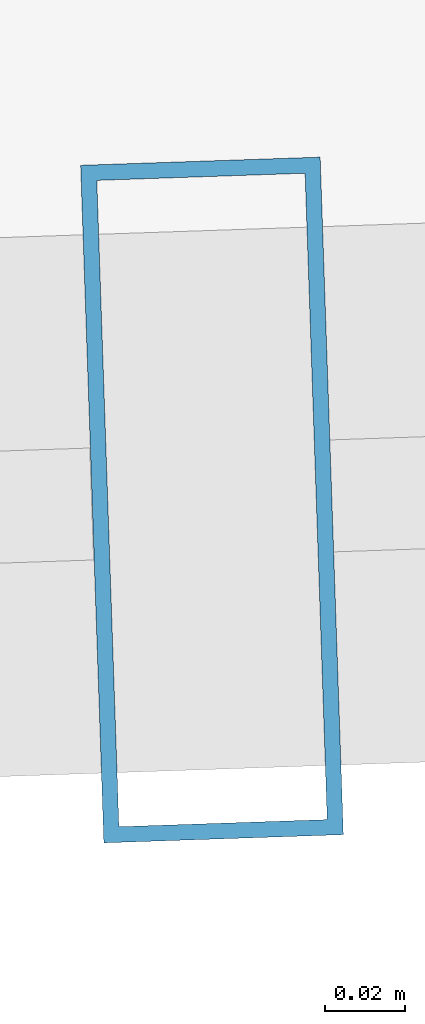
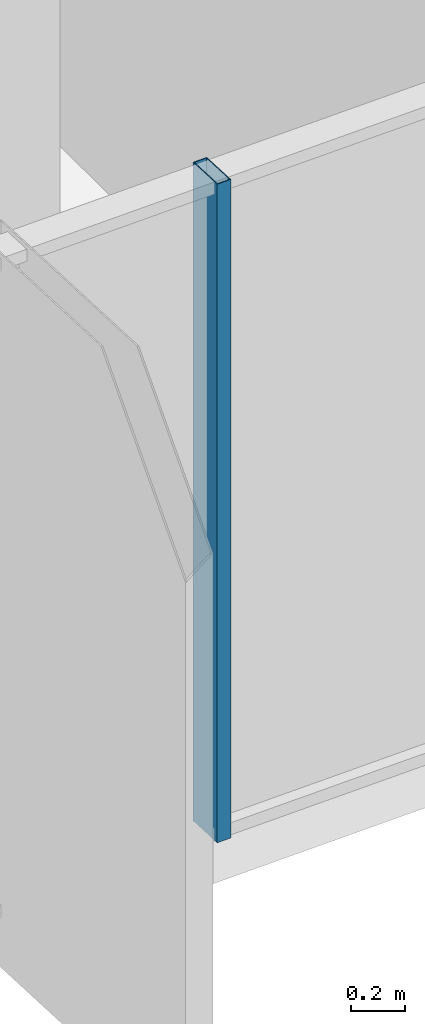
# One storey, part 8 of 39: 1 member, 1 element without a shape of its own.
"""IFC4 building model written with IfcOpenShell, lengths in metres."""

from ifc_helpers import new_model, si_unit, direction, frame, origin, origin_2d, place, context, subcontext, project, spatial, hollow_rectangle, extrude, source, transform, mapped, material, layer, layer_set, material_profile, profile_set, type_object, element, aggregate, save


model = new_model("IFC4")

# Units and contexts
model_context = context("Model", 3, precision=1e-05, world=origin(), true_north=direction((0.0, 1.0)))
body_context = subcontext(model_context, "Body", "Model", "MODEL_VIEW")
ifc_project = project(units=[si_unit("LENGTHUNIT", "METRE"), si_unit("AREAUNIT", "SQUARE_METRE"), si_unit("VOLUMEUNIT", "CUBIC_METRE"), si_unit("PLANEANGLEUNIT", "RADIAN"), si_unit("MASSUNIT", "GRAM", prefix="KILO")], contexts=[model_context])

# Site, building, storey
site_placement = place(None, origin())
site = spatial("IfcSite", under=ifc_project, at=site_placement, CompositionType="ELEMENT")
building_placement = place(site_placement, origin())
building = spatial("IfcBuilding", under=site, at=building_placement, Name="Veraguas Prism Commons", CompositionType="ELEMENT")
storey_placement = place(building_placement, frame((0.0, 0.0, 30.550048828125)))
storey = spatial("IfcBuildingStorey", under=building, at=storey_placement, Name="L07", CompositionType="ELEMENT", Elevation=30.550048828125)

# Curtain wall, member
ifc_material = material(Name="Anodised aluminium EN AW-6063 T6", Category="aluminium")
ifc_layer = layer(ifc_material, 0.169921875, Name="Unitised Flush Curtain Wall Zone 1", Category="aluminium")
ifc_layer_set = layer_set([ifc_layer], Name="Anodised aluminium EN AW-6063 T6")
curtain_wall_type = type_object("IfcCurtainWallType", Name="Unitised Flush Curtain Wall Zone 1", PredefinedType="NOTDEFINED", material=ifc_layer_set)
curtain_wall_placement = place(storey_placement, origin())
curtain_wall = element("IfcCurtainWall", 1, at=curtain_wall_placement, inside=storey, type_object=curtain_wall_type, Name="Tower Facade Curtain Wall L07-F5", PredefinedType="NOTDEFINED")
ifc_material_profile = material_profile(ifc_material, hollow_rectangle(XDim=0.06005859375, YDim=0.169921875, WallThickness=0.00390625, at=origin_2d()), Name="AL60X170X4")
ifc_profile_set = profile_set([ifc_material_profile], Name="Anodised aluminium EN AW-6063 T6")
member_type = type_object("IfcMemberType", Name="Curtain Wall Mullion Lower AL 60x170x4", PredefinedType="MULLION", material=ifc_profile_set)
shared_shape = source(origin(), body_context, "Body", "SweptSolid", [
    extrude(hollow_rectangle(XDim=0.06005859375, YDim=0.169921875, WallThickness=0.00390625, at=origin_2d()), origin(), (0.0, 0.0, 1.0), 3.0),
])
member_placement = place(storey_placement, frame((29.379150390625, 3.38720703125, 0.0), z_axis=(0.0, 0.0, 1.0), x_axis=(0.999415186666, 0.034194804603, 0.0)))
member = element("IfcMember", 2, at=member_placement, type_object=member_type, Name="CW-Z1 Mullion 4", PredefinedType="MULLION", context=body_context, shape_type="MappedRepresentation", body=[
    mapped(shared_shape, transform((0.0, 0.0, 0.0), scale=1.0)),
])
aggregate(curtain_wall, [member])

save(model, "model.ifc")
